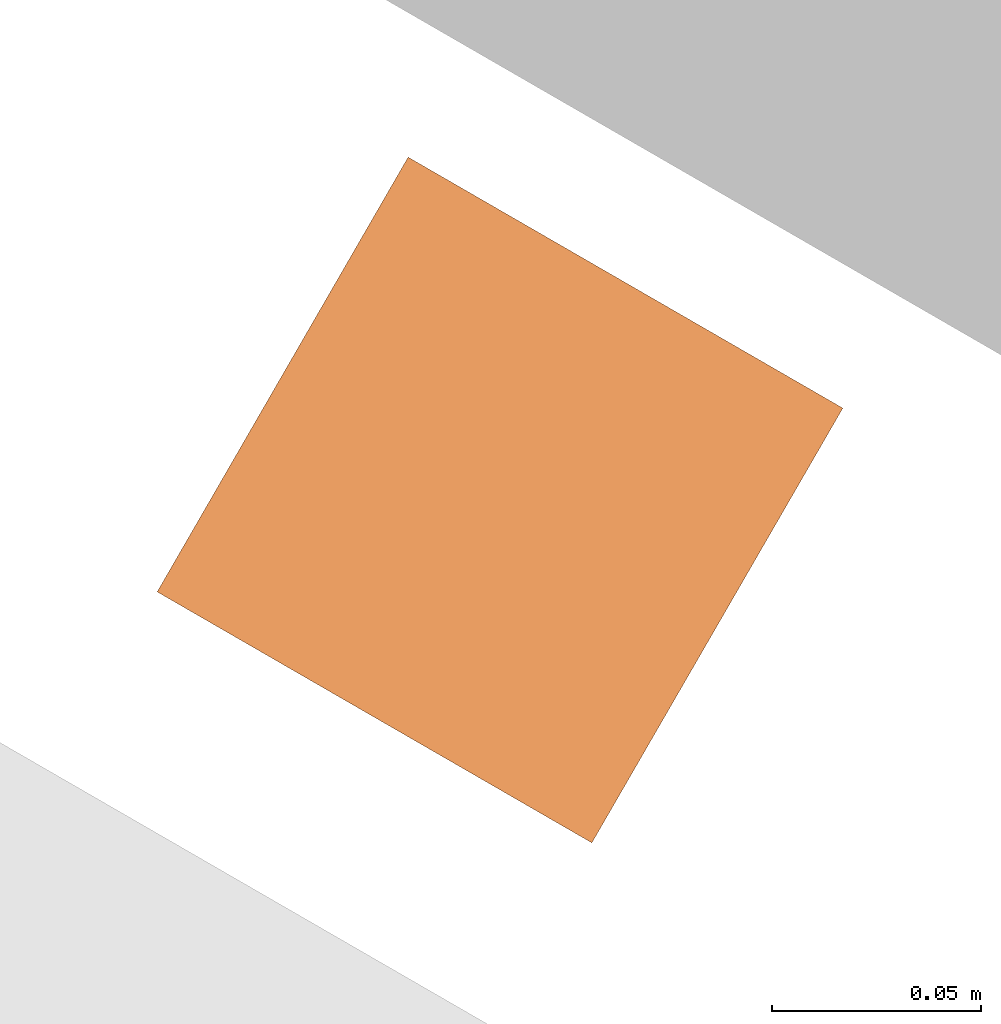
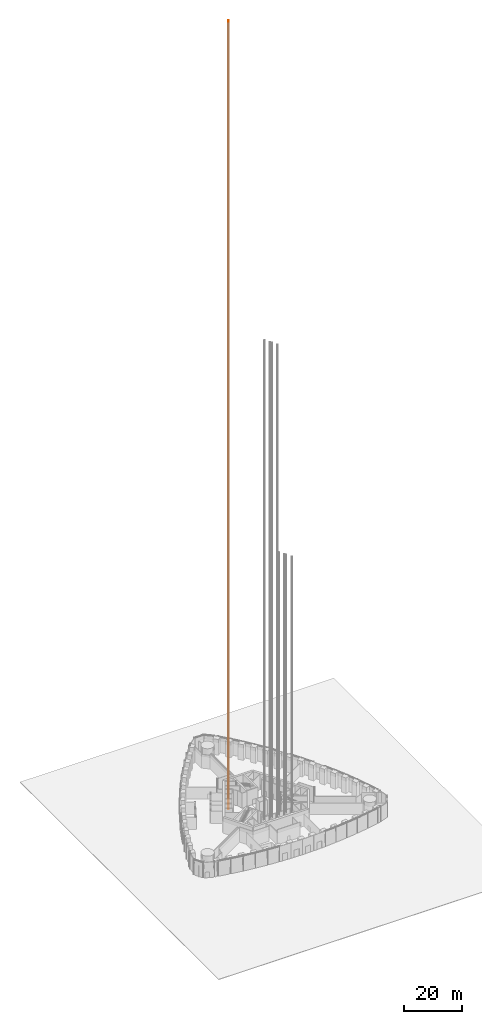
# One storey, part 38 of 43: 1 proxy.
"""IFC4 building model written with IfcOpenShell, lengths in metres."""

from ifc_helpers import new_model, si_unit, direction, frame, origin, origin_2d, place, context, subcontext, project, spatial, rectangle, extrude, element, save


model = new_model("IFC4")

# Units and contexts
model_context = context("Model", 3, precision=1e-05, world=origin(), true_north=direction((0.0, 1.0)))
body_context = subcontext(model_context, "Body", "Model", "MODEL_VIEW")
ifc_project = project(units=[si_unit("LENGTHUNIT", "METRE"), si_unit("AREAUNIT", "SQUARE_METRE"), si_unit("VOLUMEUNIT", "CUBIC_METRE"), si_unit("PLANEANGLEUNIT", "RADIAN"), si_unit("MASSUNIT", "GRAM", prefix="KILO")], contexts=[model_context])

# Site, building, storey
site_placement = place(None, origin())
site = spatial("IfcSite", under=ifc_project, at=site_placement, CompositionType="ELEMENT")
building_placement = place(site_placement, origin())
building = spatial("IfcBuilding", under=site, at=building_placement, Name="Trefoil Bronze Tower", CompositionType="ELEMENT")
storey_placement = place(building_placement, origin())
storey = spatial("IfcBuildingStorey", under=building, at=storey_placement, Name="L00", CompositionType="ELEMENT", Elevation=0.0)

# Proxy
proxy_placement = place(storey_placement, frame((-7.1044921875, 10.31982421875, -1.60009765625), z_axis=(0.0, 0.0, 1.0), x_axis=(-0.5, -0.866025403784, 0.0)))
element("IfcBuildingElementProxy", 1, at=proxy_placement, inside=storey, Name="Lift S5 guide rail 1", ObjectType="LIFT GUIDE RAIL", PredefinedType="USERDEFINED", context=body_context, shape_type="SweptSolid", body=[
    extrude(rectangle(XDim=0.1201171875, YDim=0.1201171875, at=origin_2d()), origin(), (0.0, 0.0, 1.0), 329.550048828125),
])

save(model, "model.ifc")
